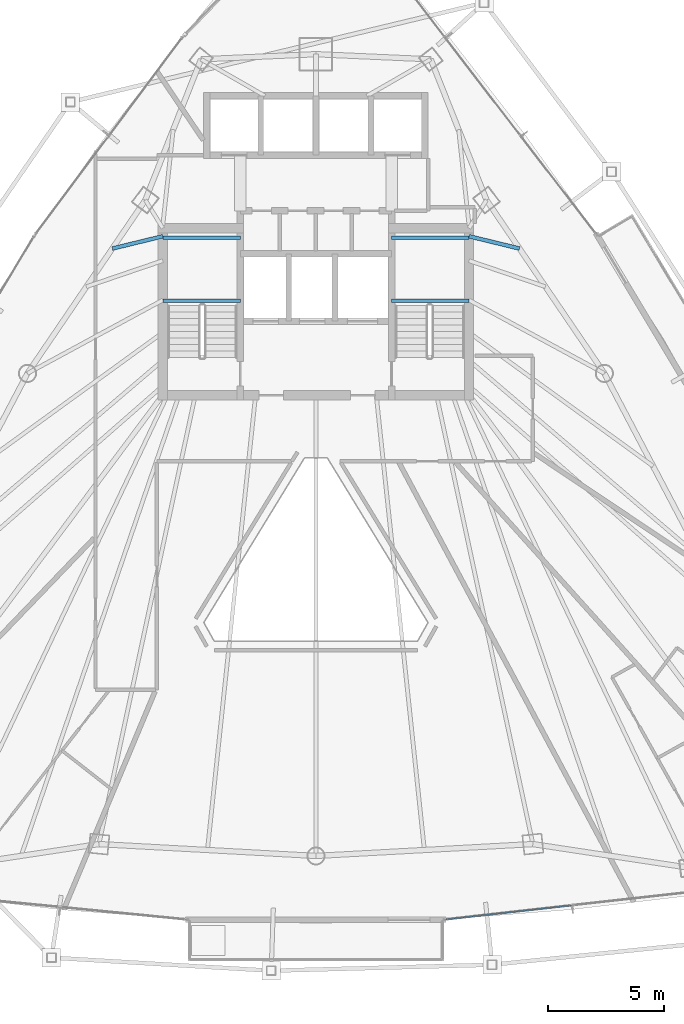
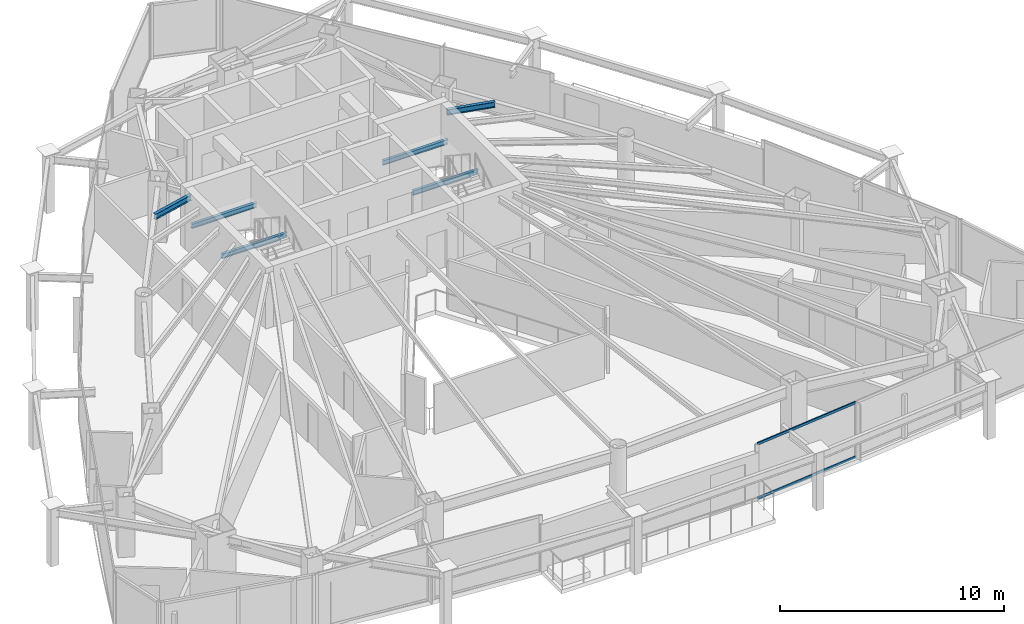
# One storey, part 13 of 31: 6 beams, 2 members, 1 element without a shape of its own.
"""IFC4 building model written with IfcOpenShell, lengths in metres."""

from ifc_helpers import new_model, si_unit, direction, frame, origin, origin_2d, place, context, subcontext, project, spatial, hollow_rectangle, i_section, extrude, material, layer, layer_set, material_profile, profile_set, type_object, element, aggregate, save


model = new_model("IFC4")

# Units and contexts
model_context = context("Model", 3, precision=1e-05, world=origin(), true_north=direction((0.0, 1.0)))
body_context = subcontext(model_context, "Body", "Model", "MODEL_VIEW")
ifc_project = project(units=[si_unit("LENGTHUNIT", "METRE"), si_unit("AREAUNIT", "SQUARE_METRE"), si_unit("VOLUMEUNIT", "CUBIC_METRE"), si_unit("PLANEANGLEUNIT", "RADIAN"), si_unit("MASSUNIT", "GRAM", prefix="KILO")], contexts=[model_context])

# Site, building, storey
site_placement = place(None, origin())
site = spatial("IfcSite", under=ifc_project, at=site_placement, CompositionType="ELEMENT")
building_placement = place(site_placement, origin())
building = spatial("IfcBuilding", under=site, at=building_placement, Name="Orvanel Arch Residences", CompositionType="ELEMENT")
storey_placement = place(building_placement, frame((0.0, 0.0, 183.64990234375)))
storey = spatial("IfcBuildingStorey", under=building, at=storey_placement, Name="L52", CompositionType="ELEMENT", Elevation=183.64990234375)

# Beams
ifc_material_1 = material(Name="Structural steel AS/NZS 3679.1 Grade 300 (300 MPa)", Category="steel")
ifc_material_profile_1 = material_profile(ifc_material_1, i_section(OverallWidth=0.14599609375, OverallDepth=0.251953125, WebThickness=0.006103515625, FlangeThickness=0.008544921875, at=origin_2d()), Name="250UB31.4")
ifc_profile_set_1 = profile_set([ifc_material_profile_1], Name="Structural steel AS/NZS 3679.1 Grade 300 (300 MPa)")
beam_type_1 = type_object("IfcBeamType", Name="BJ-250UB", PredefinedType="JOIST", material=ifc_profile_set_1)
for number, where, z_axis, x_axis, name in (
    (1, (26.39990234375, 30.780029296875, 1.32421875), (1.0, 0.0, 0.0), (0.0, 1.0, 0.0), "L52 ST-1 Half-Landing Support Beam 1.1"),
    (2, (26.39990234375, 33.47998046875, 1.32421875), (1.0, 0.0, 0.0), (0.0, 1.0, 0.0), "L52 ST-1 Half-Landing Support Beam 1.2"),
    (3, (36.25, 30.780029296875, 1.32421875), (1.0, 0.0, 0.0), (0.0, 1.0, 0.0), "L52 ST-2 Half-Landing Support Beam 1.1"),
    (4, (36.25, 33.47998046875, 1.32421875), (1.0, 0.0, 0.0), (0.0, 1.0, 0.0), "L52 ST-2 Half-Landing Support Beam 1.2"),
):
    element("IfcBeam", number, at=place(storey_placement, frame(where, z_axis=z_axis, x_axis=x_axis)), inside=storey, type_object=beam_type_1, Name=name, PredefinedType="JOIST", context=body_context, shape_type="SweptSolid", body=[
        extrude(i_section(OverallWidth=0.14599609375, OverallDepth=0.251953125, WebThickness=0.006103515625, FlangeThickness=0.008544921875, at=origin_2d()), origin(), (0.0, 0.0, 1.0), 3.35009765625),
    ])
ifc_material_profile_2 = material_profile(ifc_material_1, i_section(OverallWidth=0.1650390625, OverallDepth=0.303955078125, WebThickness=0.006103515625, FlangeThickness=0.01025390625, at=origin_2d()), Name="310UB40.4")
ifc_profile_set_2 = profile_set([ifc_material_profile_2], Name="Structural steel AS/NZS 3679.1 Grade 300 (300 MPa)")
beam_type_2 = type_object("IfcBeamType", Name="BJ-310UB", PredefinedType="JOIST", material=ifc_profile_set_2)
for number, where, z_axis, x_axis, name in (
    (5, (26.39990234375, 33.550048828125, 2.8681640625), (-0.971638471014, -0.236471312521, 0.0), (0.236471312521, -0.971638471014, 0.0), "L52 JADD3 Wing Floor Joist"),
    (6, (39.60009765625, 33.550048828125, 2.8681640625), (0.971638471014, -0.236471312521, 0.0), (0.236471312521, 0.971638471014, 0.0), "L52 JADD4 Wing Floor Joist"),
):
    element("IfcBeam", number, at=place(storey_placement, frame(where, z_axis=z_axis, x_axis=x_axis)), inside=storey, type_object=beam_type_2, Name=name, PredefinedType="JOIST", context=body_context, shape_type="SweptSolid", body=[
        extrude(i_section(OverallWidth=0.1650390625, OverallDepth=0.303955078125, WebThickness=0.006103515625, FlangeThickness=0.01025390625, at=origin_2d()), origin(), (0.0, 0.0, 1.0), 2.2373046875),
    ])

# Curtain wall, members
ifc_material_2 = material(Name="Bronze-anodised aluminium AA6063-T6", Category="aluminium")
ifc_layer = layer(ifc_material_2, 0.179931640625)
ifc_layer_set = layer_set([ifc_layer], Name="Bronze-anodised aluminium AA6063-T6")
curtain_wall_type = type_object("IfcCurtainWallType", Name="CW3-MID-SYS", PredefinedType="NOTDEFINED", material=ifc_layer_set)
curtain_wall_placement = place(storey_placement, origin())
curtain_wall = element("IfcCurtainWall", 7, at=curtain_wall_placement, inside=storey, type_object=curtain_wall_type, Name="L52 CW3-MID-SYS Unitised Curtain Wall", PredefinedType="NOTDEFINED")
ifc_material_profile_3 = material_profile(ifc_material_2, hollow_rectangle(XDim=0.06005859375, YDim=0.135009765625, WallThickness=0.00390625, at=origin_2d()), Name="ALU135x60x4")
ifc_profile_set_3 = profile_set([ifc_material_profile_3], Name="Bronze-anodised aluminium AA6063-T6")
member_type = type_object("IfcMemberType", Name="TRN-135x60", PredefinedType="USERDEFINED", material=ifc_profile_set_3)
member_1_placement = place(storey_placement, frame((38.60546875, 4.106689453125, 0.030029296875), z_axis=(0.993808411622, 0.111107339945, 0.0), x_axis=(-0.111107339945, 0.993808411622, 0.0)))
member_1 = element("IfcMember", 8, at=member_1_placement, type_object=member_type, Name="CW-S3 transom 1.1", ObjectType="TRANSOM", PredefinedType="USERDEFINED", context=body_context, shape_type="SweptSolid", body=[
    extrude(hollow_rectangle(XDim=0.06005859375, YDim=0.135009765625, WallThickness=0.00390625, at=origin_2d()), origin(), (0.0, 0.0, 1.0), 5.431884765625),
])
member_2_placement = place(storey_placement, frame((38.60546875, 4.106689453125, 2.989990234375), z_axis=(0.993808411622, 0.111107339945, 0.0), x_axis=(-0.111107339945, 0.993808411622, 0.0)))
member_2 = element("IfcMember", 9, at=member_2_placement, type_object=member_type, Name="CW-S3 transom 1.2", ObjectType="TRANSOM", PredefinedType="USERDEFINED", context=body_context, shape_type="SweptSolid", body=[
    extrude(hollow_rectangle(XDim=0.06005859375, YDim=0.135009765625, WallThickness=0.00390625, at=origin_2d()), origin(), (0.0, 0.0, 1.0), 5.431884765625),
])
aggregate(curtain_wall, [member_1, member_2])

save(model, "model.ifc")
